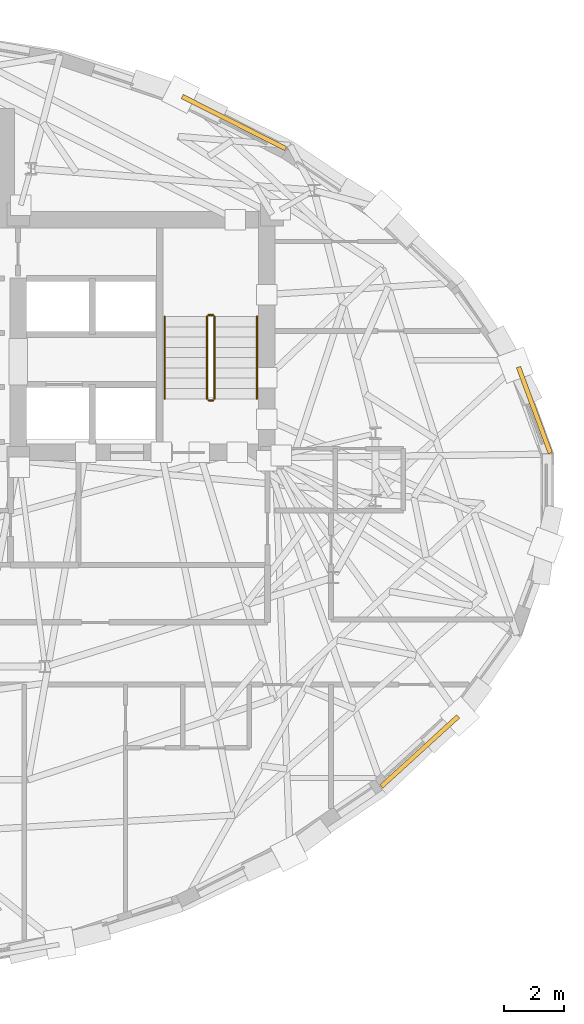
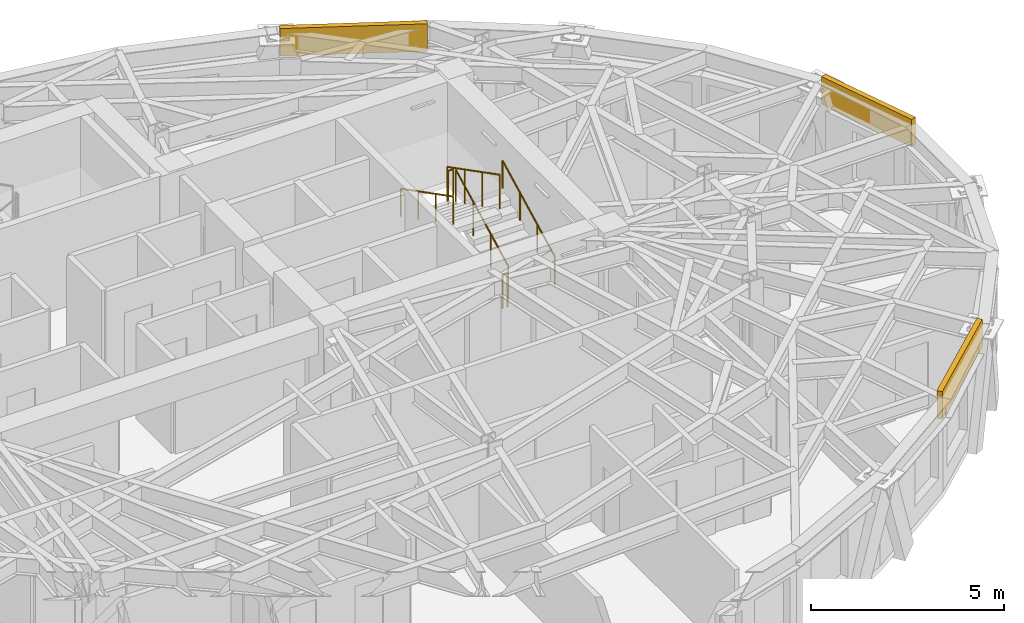
# One storey, part 14 of 14: 6 railings, 3 coverings.
"""IFC4 building model written with IfcOpenShell, lengths in metres."""

from ifc_helpers import new_model, si_unit, direction, frame, origin, origin_2d, place, context, subcontext, project, spatial, rectangle, circle, extrude, material, layer, layer_set, type_object, element, save


model = new_model("IFC4")

# Units and contexts
model_context = context("Model", 3, precision=1e-05, world=origin(), true_north=direction((0.0, 1.0)))
body_context = subcontext(model_context, "Body", "Model", "MODEL_VIEW")
ifc_project = project(units=[si_unit("LENGTHUNIT", "METRE"), si_unit("AREAUNIT", "SQUARE_METRE"), si_unit("VOLUMEUNIT", "CUBIC_METRE"), si_unit("PLANEANGLEUNIT", "RADIAN"), si_unit("MASSUNIT", "GRAM", prefix="KILO")], contexts=[model_context])

# Site, building, storey
site_placement = place(None, origin())
site = spatial("IfcSite", under=ifc_project, at=site_placement, CompositionType="ELEMENT")
building_placement = place(site_placement, origin())
building = spatial("IfcBuilding", under=site, at=building_placement, Name="Keldmark Tower", CompositionType="ELEMENT")
storey_placement = place(building_placement, frame((0.0, 0.0, 222.60009765625)))
storey = spatial("IfcBuildingStorey", under=building, at=storey_placement, Name="L62", CompositionType="ELEMENT", Elevation=222.60009765625)

# Coverings
ifc_material_1 = material(Name="Honed Kasota Buff Dolomitic Limestone", Category="masonry")
ifc_layer = layer(ifc_material_1, 0.074951171875)
ifc_layer_set = layer_set([ifc_layer], Name="Honed Kasota Buff Dolomitic Limestone")
covering_type = type_object("IfcCoveringType", Name="Kasota Buff Limestone Spandrel Cladding Band", PredefinedType="CLADDING", material=ifc_layer_set)
covering_1_placement = place(storey_placement, frame((22.28369140625, 2.97412109375, 2.259765625), z_axis=(0.0, 0.0, 1.0), x_axis=(-0.346755583431, 0.93795552419, 0.0)))
element("IfcCovering", 1, at=covering_1_placement, inside=storey, type_object=covering_type, Name="L62 Kasota Limestone Spandrel Band 01", PredefinedType="CLADDING", context=body_context, shape_type="SweptSolid", body=[
    extrude(rectangle(XDim=3.037109375, YDim=0.14990234375, at=origin_2d()), origin(), (0.0, 0.0, 1.0), 0.8701171875),
])
covering_2_placement = place(storey_placement, frame((12.3408203125, 12.4912109375, 2.259765625), z_axis=(0.0, 0.0, 1.0), x_axis=(-0.892861077314, 0.450332206951, 0.0)))
element("IfcCovering", 2, at=covering_2_placement, inside=storey, type_object=covering_type, Name="L62 Kasota Limestone Spandrel Band 05", PredefinedType="CLADDING", context=body_context, shape_type="SweptSolid", body=[
    extrude(rectangle(XDim=3.8359375, YDim=0.14990234375, at=origin_2d()), origin(), (0.0, 0.0, 1.0), 0.8701171875),
])
covering_3_placement = place(storey_placement, frame((18.489013671875, -8.321533203125, 2.259765625), z_axis=(0.0, 0.0, 1.0), x_axis=(0.738902392461, 0.673812477189, 0.0)))
element("IfcCovering", 3, at=covering_3_placement, inside=storey, type_object=covering_type, Name="L62 Kasota Limestone Spandrel Band 29", PredefinedType="CLADDING", context=body_context, shape_type="SweptSolid", body=[
    extrude(rectangle(XDim=3.43505859375, YDim=0.14990234375, at=origin_2d()), origin(), (0.0, 0.0, 1.0), 0.8701171875),
])

# Railings
ifc_material_2 = material(Name="Painted Steel ASTM A500 Grade B", Category="steel")
railing_type_1 = type_object("IfcRailingType", Name="Painted Steel Stair Well Guard 1100 mm", PredefinedType="GUARDRAIL", material=ifc_material_2)
railing_1_placement = place(storey_placement, frame((11.699951171875, 3.35009765625, 0.1748046875)))
element("IfcRailing", 4, at=railing_1_placement, inside=storey, type_object=railing_type_1, Name="L62 ST2 stair guard 1", PredefinedType="GUARDRAIL", context=body_context, shape_type="SweptSolid", body=[
    extrude(circle(Radius=0.02392578125, at=origin_2d()), frame((0.0, 0.0, 1.076171875), z_axis=(0.0, 0.889114319608, 0.457685182924), x_axis=(-1.0, 0.0, 0.0)), (0.0, 0.0, 1.0), 3.05908203125),
    extrude(circle(Radius=0.02099609375, at=origin_2d()), origin(), (0.0, 0.0, 1.0), 1.052001953125),
    extrude(circle(Radius=0.02099609375, at=origin_2d()), frame((0.0, 0.90673828125, 0.466796875)), (0.0, 0.0, 1.0), 1.052001953125),
    extrude(circle(Radius=0.02099609375, at=origin_2d()), frame((0.0, 1.813232421875, 0.933349609375)), (0.0, 0.0, 1.0), 1.052001953125),
    extrude(circle(Radius=0.02099609375, at=origin_2d()), frame((0.0, 2.719970703125, 1.400146484375)), (0.0, 0.0, 1.0), 1.052001953125),
])
railing_2_placement = place(storey_placement, frame((11.64990234375, 6.1201171875, 1.574951171875)))
element("IfcRailing", 5, at=railing_2_placement, inside=storey, type_object=railing_type_1, Name="L62 ST2 stair guard 2", PredefinedType="GUARDRAIL", context=body_context, shape_type="SweptSolid", body=[
    extrude(circle(Radius=0.02392578125, at=origin_2d()), frame((0.0, 0.0, 1.076171875), z_axis=(-1.0, 0.0, 0.0), x_axis=(0.0, -1.0, 0.0)), (0.0, 0.0, 1.0), 0.14990234375),
    extrude(circle(Radius=0.02099609375, at=origin_2d()), origin(), (0.0, 0.0, 1.0), 1.052001953125),
    extrude(circle(Radius=0.02099609375, at=origin_2d()), frame((-0.14990234375, 0.0, 0.0)), (0.0, 0.0, 1.0), 1.052001953125),
])
railing_3_placement = place(storey_placement, frame((11.449951171875, 6.070068359375, 1.75)))
element("IfcRailing", 6, at=railing_3_placement, inside=storey, type_object=railing_type_1, Name="L62 ST2 stair guard 3", PredefinedType="GUARDRAIL", context=body_context, shape_type="SweptSolid", body=[
    extrude(circle(Radius=0.02392578125, at=origin_2d()), frame((0.0, 0.0, 1.076171875), z_axis=(0.0, -0.889146794209, 0.457622091194), x_axis=(1.0, 0.0, 0.0)), (0.0, 0.0, 1.0), 3.05908203125),
    extrude(circle(Radius=0.02099609375, at=origin_2d()), origin(), (0.0, 0.0, 1.0), 1.052001953125),
    extrude(circle(Radius=0.02099609375, at=origin_2d()), frame((0.0, -0.90673828125, 0.466552734375)), (0.0, 0.0, 1.0), 1.052001953125),
    extrude(circle(Radius=0.02099609375, at=origin_2d()), frame((0.0, -1.813232421875, 0.933349609375)), (0.0, 0.0, 1.0), 1.052001953125),
    extrude(circle(Radius=0.02099609375, at=origin_2d()), frame((0.0, -2.719970703125, 1.39990234375)), (0.0, 0.0, 1.0), 1.052001953125),
])
railing_4_placement = place(storey_placement, frame((11.64990234375, 3.300048828125, 0.0)))
element("IfcRailing", 7, at=railing_4_placement, inside=storey, type_object=railing_type_1, Name="L62 ST2 stair guard 4", PredefinedType="GUARDRAIL", context=body_context, shape_type="SweptSolid", body=[
    extrude(circle(Radius=0.02392578125, at=origin_2d()), frame((0.0, 0.0, 1.076171875), z_axis=(-1.0, 0.0, 0.0), x_axis=(0.0, -1.0, 0.0)), (0.0, 0.0, 1.0), 0.14990234375),
    extrude(circle(Radius=0.02099609375, at=origin_2d()), origin(), (0.0, 0.0, 1.0), 1.052001953125),
    extrude(circle(Radius=0.02099609375, at=origin_2d()), frame((-0.14990234375, 0.0, 0.0)), (0.0, 0.0, 1.0), 1.052001953125),
])
ifc_material_3 = material(Name="Stainless Steel AISI 316L", Category="steel")
railing_type_2 = type_object("IfcRailingType", Name="Stainless Steel Stair Handrail 900 mm", PredefinedType="HANDRAIL", material=ifc_material_3)
railing_5_placement = place(storey_placement, frame((13.10009765625, 3.35009765625, 0.1748046875)))
element("IfcRailing", 8, at=railing_5_placement, inside=storey, type_object=railing_type_2, Name="L62 ST2 stair handrail 1", PredefinedType="HANDRAIL", context=body_context, shape_type="SweptSolid", body=[
    extrude(circle(Radius=0.02392578125, at=origin_2d()), frame((0.0, 0.0, 0.8759765625), z_axis=(0.0, 0.889114319608, 0.457685182924), x_axis=(-1.0, 0.0, 0.0)), (0.0, 0.0, 1.0), 3.05908203125),
    extrude(circle(Radius=0.02099609375, at=origin_2d()), origin(), (0.0, 0.0, 1.0), 0.851806640625),
    extrude(circle(Radius=0.02099609375, at=origin_2d()), frame((0.0, 0.90673828125, 0.466796875)), (0.0, 0.0, 1.0), 0.851806640625),
    extrude(circle(Radius=0.02099609375, at=origin_2d()), frame((0.0, 1.813232421875, 0.933349609375)), (0.0, 0.0, 1.0), 0.851806640625),
    extrude(circle(Radius=0.02099609375, at=origin_2d()), frame((0.0, 2.719970703125, 1.400146484375)), (0.0, 0.0, 1.0), 0.851806640625),
])
railing_6_placement = place(storey_placement, frame((10.050048828125, 6.070068359375, 1.75)))
element("IfcRailing", 9, at=railing_6_placement, inside=storey, type_object=railing_type_2, Name="L62 ST2 stair handrail 2", PredefinedType="HANDRAIL", context=body_context, shape_type="SweptSolid", body=[
    extrude(circle(Radius=0.02392578125, at=origin_2d()), frame((0.0, 0.0, 0.8759765625), z_axis=(0.0, -0.889146794209, 0.457622091194), x_axis=(1.0, 0.0, 0.0)), (0.0, 0.0, 1.0), 3.05908203125),
    extrude(circle(Radius=0.02099609375, at=origin_2d()), origin(), (0.0, 0.0, 1.0), 0.851806640625),
    extrude(circle(Radius=0.02099609375, at=origin_2d()), frame((0.0, -0.90673828125, 0.466552734375)), (0.0, 0.0, 1.0), 0.851806640625),
    extrude(circle(Radius=0.02099609375, at=origin_2d()), frame((0.0, -1.813232421875, 0.933349609375)), (0.0, 0.0, 1.0), 0.851806640625),
    extrude(circle(Radius=0.02099609375, at=origin_2d()), frame((0.0, -2.719970703125, 1.39990234375)), (0.0, 0.0, 1.0), 0.851806640625),
])

save(model, "model.ifc")
